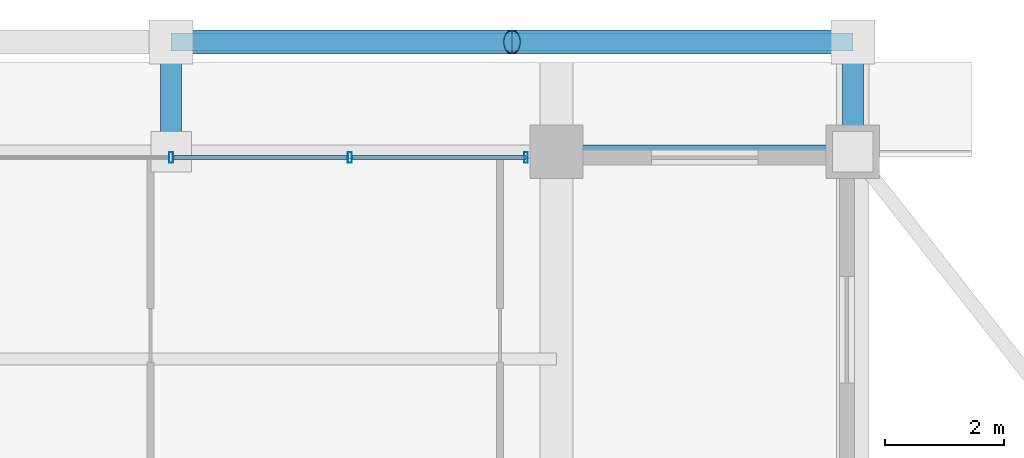
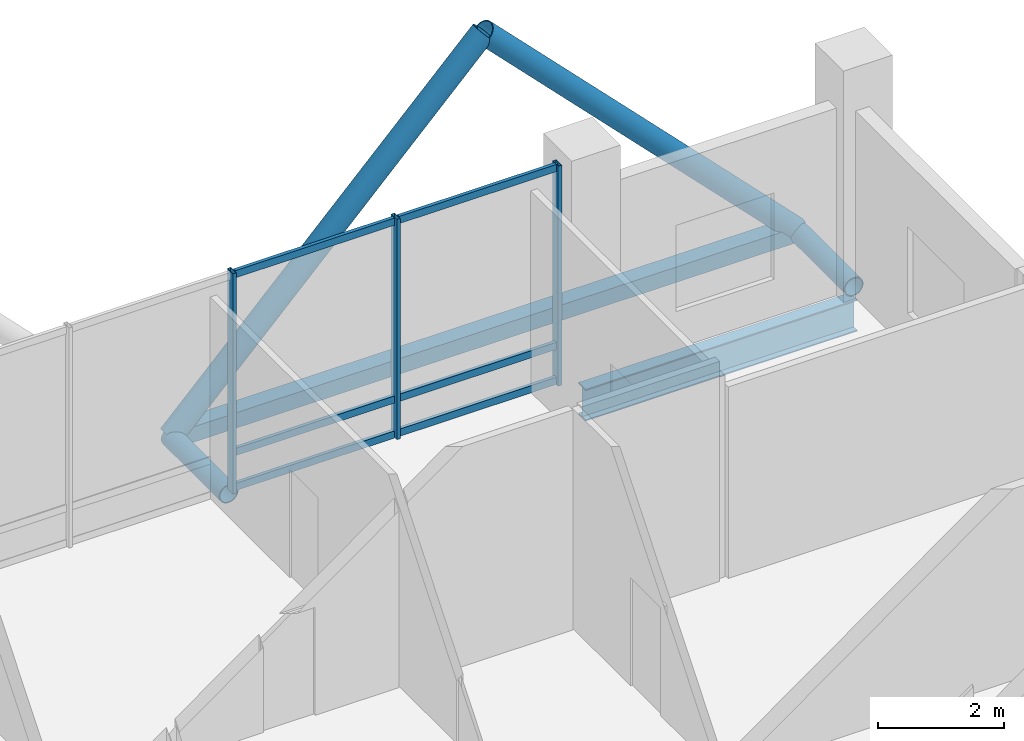
# One storey, part 18 of 27: 14 members, 1 beam, 1 element without a shape of its own.
"""IFC4 building model written with IfcOpenShell, lengths in metres."""

from ifc_helpers import new_model, si_unit, direction, frame, origin, origin_2d, place, context, subcontext, project, spatial, hollow_rectangle, hollow_circle, i_section, extrude, material, layer, layer_set, material_profile, profile_set, type_object, element, aggregate, save


model = new_model("IFC4")

# Units and contexts
model_context = context("Model", 3, precision=1e-05, world=origin(), true_north=direction((0.0, 1.0)))
body_context = subcontext(model_context, "Body", "Model", "MODEL_VIEW")
ifc_project = project(units=[si_unit("LENGTHUNIT", "METRE"), si_unit("AREAUNIT", "SQUARE_METRE"), si_unit("VOLUMEUNIT", "CUBIC_METRE"), si_unit("PLANEANGLEUNIT", "RADIAN"), si_unit("MASSUNIT", "GRAM", prefix="KILO")], contexts=[model_context])

# Site, building, storey
site_placement = place(None, origin())
site = spatial("IfcSite", under=ifc_project, at=site_placement, CompositionType="ELEMENT")
building_placement = place(site_placement, origin())
building = spatial("IfcBuilding", under=site, at=building_placement, Name="Barlavira Tower and Art Museum", CompositionType="ELEMENT")
storey_placement = place(building_placement, frame((0.0, 0.0, 217.800048828125)))
storey = spatial("IfcBuildingStorey", under=building, at=storey_placement, Name="L56", CompositionType="ELEMENT", Elevation=217.800048828125)

# Curtain wall, members
ifc_material_1 = material(Name="Low-iron coastal laminated glass", Category="glass")
ifc_layer = layer(ifc_material_1, 0.2099609375, Name="Low-iron coastal laminated glass")
ifc_layer_set = layer_set([ifc_layer], Name="Low-iron coastal laminated glass")
curtain_wall_type = type_object("IfcCurtainWallType", Name="Pale-Metal Unitised Curtain Wall Zone 4", PredefinedType="NOTDEFINED", material=ifc_layer_set)
curtain_wall_placement = place(storey_placement, origin())
curtain_wall = element("IfcCurtainWall", 1, at=curtain_wall_placement, inside=storey, type_object=curtain_wall_type, Name="L56 Curtain Wall CW4-L56-N-B2", PredefinedType="NOTDEFINED")
ifc_material_2 = material(Name="Pale anodised aluminium", Category="aluminium")
ifc_material_profile_1 = material_profile(ifc_material_2, hollow_rectangle(XDim=0.06494140625, YDim=0.179931640625, WallThickness=0.00390625, at=origin_2d()), Name="ALU-MULL 65x180x4")
ifc_profile_set_1 = profile_set([ifc_material_profile_1], Name="Pale anodised aluminium")
member_type_1 = type_object("IfcMemberType", Name="Curtain Wall Pale-Metal Mullion 65x180", PredefinedType="MULLION", material=ifc_profile_set_1)
member_1_placement = place(storey_placement, frame((5.985107421875, 19.89990234375, 0.0), z_axis=(0.0, 0.0, 1.0), x_axis=(-1.0, 0.0, 0.0)))
member_1 = element("IfcMember", 2, at=member_1_placement, type_object=member_type_1, Name="CW4-L56-N-B2 Mullion 0", PredefinedType="MULLION", context=body_context, shape_type="SweptSolid", body=[
    extrude(hollow_rectangle(XDim=0.06494140625, YDim=0.179931640625, WallThickness=0.00390625, at=origin_2d()), origin(), (0.0, 0.0, 1.0), 4.280029296875),
])
member_2_placement = place(storey_placement, frame((3.014892578125, 19.89990234375, 0.0), z_axis=(0.0, 0.0, 1.0), x_axis=(-1.0, 0.0, 0.0)))
member_2 = element("IfcMember", 3, at=member_2_placement, type_object=member_type_1, Name="CW4-L56-N-B2 Mullion 1", PredefinedType="MULLION", context=body_context, shape_type="SweptSolid", body=[
    extrude(hollow_rectangle(XDim=0.06494140625, YDim=0.179931640625, WallThickness=0.00390625, at=origin_2d()), origin(), (0.0, 0.0, 1.0), 4.280029296875),
])
member_3_placement = place(storey_placement, frame((0.0, 19.89990234375, 0.0), z_axis=(0.0, 0.0, 1.0), x_axis=(-1.0, 0.0, 0.0)))
member_3 = element("IfcMember", 4, at=member_3_placement, type_object=member_type_1, Name="CW4-L56-N-B2 Mullion 2", PredefinedType="MULLION", context=body_context, shape_type="SweptSolid", body=[
    extrude(hollow_rectangle(XDim=0.06494140625, YDim=0.179931640625, WallThickness=0.00390625, at=origin_2d()), origin(), (0.0, 0.0, 1.0), 4.280029296875),
])
ifc_material_profile_2 = material_profile(ifc_material_2, hollow_rectangle(XDim=0.06494140625, YDim=0.139892578125, WallThickness=0.00390625, at=origin_2d()), Name="ALU-TRAN 65x140x4")
ifc_profile_set_2 = profile_set([ifc_material_profile_2], Name="Pale anodised aluminium")
member_type_2 = type_object("IfcMemberType", Name="Curtain Wall Pale-Metal Transom 65x140", PredefinedType="USERDEFINED", material=ifc_profile_set_2)
member_4_placement = place(storey_placement, frame((5.985107421875, 19.89990234375, 0.070068359375), z_axis=(-1.0, 0.0, 0.0), x_axis=(0.0, -1.0, 0.0)))
member_4 = element("IfcMember", 5, at=member_4_placement, type_object=member_type_2, Name="CW4-L56-N-B2 Transom 0.1", ObjectType="TRANSOM", PredefinedType="USERDEFINED", context=body_context, shape_type="SweptSolid", body=[
    extrude(hollow_rectangle(XDim=0.06494140625, YDim=0.139892578125, WallThickness=0.00390625, at=origin_2d()), origin(), (0.0, 0.0, 1.0), 2.925048828125),
])
member_5_placement = place(storey_placement, frame((5.985107421875, 19.89990234375, 0.75), z_axis=(-1.0, 0.0, 0.0), x_axis=(0.0, -1.0, 0.0)))
member_5 = element("IfcMember", 6, at=member_5_placement, type_object=member_type_2, Name="CW4-L56-N-B2 Transom 0.2", ObjectType="TRANSOM", PredefinedType="USERDEFINED", context=body_context, shape_type="SweptSolid", body=[
    extrude(hollow_rectangle(XDim=0.06494140625, YDim=0.139892578125, WallThickness=0.00390625, at=origin_2d()), origin(), (0.0, 0.0, 1.0), 2.925048828125),
])
member_6_placement = place(storey_placement, frame((5.985107421875, 19.89990234375, 4.2099609375), z_axis=(-1.0, 0.0, 0.0), x_axis=(0.0, -1.0, 0.0)))
member_6 = element("IfcMember", 7, at=member_6_placement, type_object=member_type_2, Name="CW4-L56-N-B2 Transom 0.3", ObjectType="TRANSOM", PredefinedType="USERDEFINED", context=body_context, shape_type="SweptSolid", body=[
    extrude(hollow_rectangle(XDim=0.06494140625, YDim=0.139892578125, WallThickness=0.00390625, at=origin_2d()), origin(), (0.0, 0.0, 1.0), 2.925048828125),
])
member_7_placement = place(storey_placement, frame((2.969970703125, 19.89990234375, 0.070068359375), z_axis=(-1.0, 0.0, 0.0), x_axis=(0.0, -1.0, 0.0)))
member_7 = element("IfcMember", 8, at=member_7_placement, type_object=member_type_2, Name="CW4-L56-N-B2 Transom 1.1", ObjectType="TRANSOM", PredefinedType="USERDEFINED", context=body_context, shape_type="SweptSolid", body=[
    extrude(hollow_rectangle(XDim=0.06494140625, YDim=0.139892578125, WallThickness=0.00390625, at=origin_2d()), origin(), (0.0, 0.0, 1.0), 2.925048828125),
])
member_8_placement = place(storey_placement, frame((2.969970703125, 19.89990234375, 0.75), z_axis=(-1.0, 0.0, 0.0), x_axis=(0.0, -1.0, 0.0)))
member_8 = element("IfcMember", 9, at=member_8_placement, type_object=member_type_2, Name="CW4-L56-N-B2 Transom 1.2", ObjectType="TRANSOM", PredefinedType="USERDEFINED", context=body_context, shape_type="SweptSolid", body=[
    extrude(hollow_rectangle(XDim=0.06494140625, YDim=0.139892578125, WallThickness=0.00390625, at=origin_2d()), origin(), (0.0, 0.0, 1.0), 2.925048828125),
])
member_9_placement = place(storey_placement, frame((2.969970703125, 19.89990234375, 4.2099609375), z_axis=(-1.0, 0.0, 0.0), x_axis=(0.0, -1.0, 0.0)))
member_9 = element("IfcMember", 10, at=member_9_placement, type_object=member_type_2, Name="CW4-L56-N-B2 Transom 1.3", ObjectType="TRANSOM", PredefinedType="USERDEFINED", context=body_context, shape_type="SweptSolid", body=[
    extrude(hollow_rectangle(XDim=0.06494140625, YDim=0.139892578125, WallThickness=0.00390625, at=origin_2d()), origin(), (0.0, 0.0, 1.0), 2.925048828125),
])
aggregate(curtain_wall, [member_1, member_2, member_3, member_4, member_5, member_6, member_7, member_8, member_9])

# Members
ifc_material_3 = material(Name="Steel S355", Category="steel")
ifc_material_profile_3 = material_profile(ifc_material_3, hollow_circle(Radius=0.203125, WallThickness=0.01611328125, at=origin_2d()), Name="CHS 406.4x16.0")
ifc_profile_set_3 = profile_set([ifc_material_profile_3], Name="Steel S355")
member_type_3 = type_object("IfcMemberType", Name="Pale-Metal Exoskeleton Diagrid Tube CHS 406x16 Steel S355", PredefinedType="BRACE", material=ifc_profile_set_3)
for number, where, z_axis, x_axis, name in (
    (11, (0.0, 21.85009765625, -0.1201171875), (0.700979034508, 0.0, 0.713181879453), (0.0, 1.0, 0.0), "L56 Exoskeleton Diagrid Tube N"),
    (12, (11.5, 21.85009765625, -0.1201171875), (-0.700979034508, 0.0, 0.713181879453), (0.0, -1.0, 0.0), "L56 Exoskeleton Diagrid Tube N"),
):
    element("IfcMember", number, at=place(storey_placement, frame(where, z_axis=z_axis, x_axis=x_axis)), inside=storey, type_object=member_type_3, Name=name, PredefinedType="BRACE", context=body_context, shape_type="SweptSolid", body=[
        extrude(hollow_circle(Radius=0.203125, WallThickness=0.01611328125, at=origin_2d()), origin(), (0.0, 0.0, 1.0), 8.202880859375),
    ])
ifc_material_profile_4 = material_profile(ifc_material_3, hollow_circle(Radius=0.177734375, WallThickness=0.01611328125, at=origin_2d()), Name="CHS 355.6x16.0")
ifc_profile_set_4 = profile_set([ifc_material_profile_4], Name="Steel S355")
member_type_4 = type_object("IfcMemberType", Name="Pale-Metal Exoskeleton Tie Strut CHS 356x16 Steel S355", PredefinedType="STRUT", material=ifc_profile_set_4)
for number, where, z_axis, x_axis, name in (
    (13, (0.0, 21.85009765625, -0.1201171875), (0.0, -1.0, 0.0), (1.0, 0.0, 0.0), "L56 Exoskeleton Tie Strut N2"),
    (14, (11.5, 21.85009765625, -0.1201171875), (0.0, -1.0, 0.0), (1.0, 0.0, 0.0), "L56 Exoskeleton Tie Strut N3"),
):
    element("IfcMember", number, at=place(storey_placement, frame(where, z_axis=z_axis, x_axis=x_axis)), inside=storey, type_object=member_type_4, Name=name, PredefinedType="STRUT", context=body_context, shape_type="SweptSolid", body=[
        extrude(hollow_circle(Radius=0.177734375, WallThickness=0.01611328125, at=origin_2d()), origin(), (0.0, 0.0, 1.0), 1.85009765625),
    ])
ifc_material_profile_5 = material_profile(ifc_material_3, hollow_rectangle(XDim=0.300048828125, YDim=0.300048828125, WallThickness=0.01611328125, at=origin_2d()), Name="SHS 300x300x16.0")
ifc_profile_set_5 = profile_set([ifc_material_profile_5], Name="Steel S355")
member_type_5 = type_object("IfcMemberType", Name="Pale-Metal Upper Ring Strut SHS 300x300x16 Steel S355", PredefinedType="STRUT", material=ifc_profile_set_5)
member_10_placement = place(storey_placement, frame((0.0, 21.85009765625, -0.1201171875), z_axis=(1.0, 0.0, 0.0), x_axis=(0.0, 1.0, 0.0)))
element("IfcMember", 15, at=member_10_placement, inside=storey, type_object=member_type_5, Name="L56 Exoskeleton Ring Strut N", PredefinedType="STRUT", context=body_context, shape_type="SweptSolid", body=[
    extrude(hollow_rectangle(XDim=0.300048828125, YDim=0.300048828125, WallThickness=0.01611328125, at=origin_2d()), origin(), (0.0, 0.0, 1.0), 11.5),
])

# Beam
ifc_material_profile_6 = material_profile(ifc_material_3, i_section(OverallWidth=0.22998046875, OverallDepth=0.616943359375, WebThickness=0.01318359375, FlangeThickness=0.022216796875, at=origin_2d()), Name="W610x140.0")
ifc_profile_set_6 = profile_set([ifc_material_profile_6], Name="Steel S355")
beam_type = type_object("IfcBeamType", Name="Upper Shaft Spandrel Edge Beam W610x140 Steel S355", PredefinedType="SPANDREL", material=ifc_profile_set_6)
beam_placement = place(storey_placement, frame((6.5, 20.0, -0.608642578125), z_axis=(1.0, 0.0, 0.0), x_axis=(0.0, 1.0, 0.0)))
element("IfcBeam", 16, at=beam_placement, inside=storey, type_object=beam_type, Name="L56 Spandrel 9", PredefinedType="SPANDREL", context=body_context, shape_type="SweptSolid", body=[
    extrude(i_section(OverallWidth=0.22998046875, OverallDepth=0.616943359375, WebThickness=0.01318359375, FlangeThickness=0.022216796875, at=origin_2d()), origin(), (0.0, 0.0, 1.0), 5.0),
])

save(model, "model.ifc")
